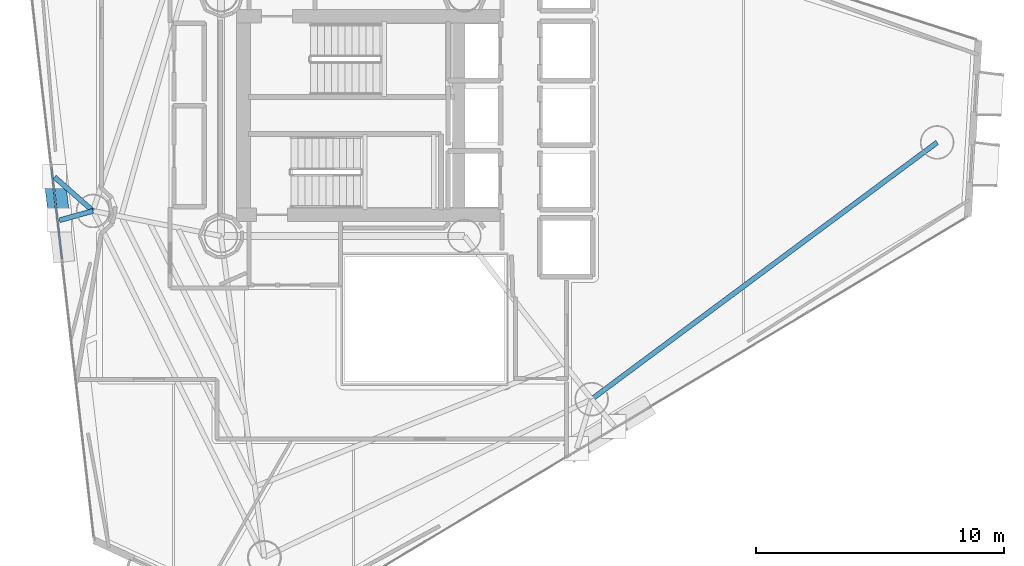
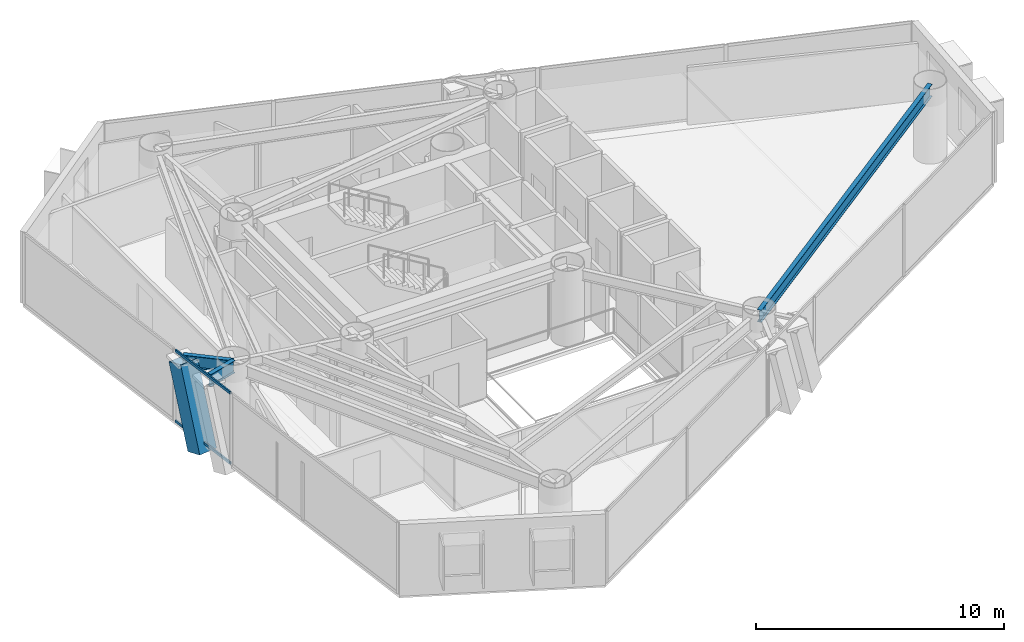
# One storey, part 8 of 22: 3 beams, 3 members, 1 element without a shape of its own.
"""IFC4 building model written with IfcOpenShell, lengths in metres."""

from ifc_helpers import new_model, si_unit, direction, frame, origin, origin_2d, place, context, subcontext, project, spatial, hollow_rectangle, i_section, extrude, material, layer, layer_set, material_profile, profile_set, type_object, element, aggregate, save


model = new_model("IFC4")

# Units and contexts
model_context = context("Model", 3, precision=1e-05, world=origin(), true_north=direction((0.0, 1.0)))
body_context = subcontext(model_context, "Body", "Model", "MODEL_VIEW")
ifc_project = project(units=[si_unit("LENGTHUNIT", "METRE"), si_unit("AREAUNIT", "SQUARE_METRE"), si_unit("VOLUMEUNIT", "CUBIC_METRE"), si_unit("PLANEANGLEUNIT", "RADIAN"), si_unit("MASSUNIT", "GRAM", prefix="KILO")], contexts=[model_context])

# Site, building, storey
site_placement = place(None, origin())
site = spatial("IfcSite", under=ifc_project, at=site_placement, CompositionType="ELEMENT")
building_placement = place(site_placement, origin())
building = spatial("IfcBuilding", under=site, at=building_placement, Name="Qianvela Tower", CompositionType="ELEMENT")
storey_placement = place(building_placement, frame((0.0, 0.0, 173.5)))
storey = spatial("IfcBuildingStorey", under=building, at=storey_placement, Name="L44", CompositionType="ELEMENT", Elevation=173.5)

# Beams
ifc_material_1 = material(Name="Steel Q355B", Category="steel")
ifc_material_profile_1 = material_profile(ifc_material_1, i_section(OverallWidth=0.199951171875, OverallDepth=0.60009765625, WebThickness=0.010986328125, FlangeThickness=0.01708984375, at=origin_2d()), Name="HN600x200x11x17")
ifc_profile_set_1 = profile_set([ifc_material_profile_1], Name="Steel Q355B")
beam_type = type_object("IfcBeamType", Name="BM-HN600-GIRD", PredefinedType="BEAM", material=ifc_profile_set_1)
beam_1_placement = place(storey_placement, frame((23.446044921875, 24.85888671875, 3.218017578125), z_axis=(-0.750500018604, 0.6608704276, 0.0), x_axis=(-0.6608704276, -0.750500018604, 0.0)))
element("IfcBeam", 1, at=beam_1_placement, inside=storey, type_object=beam_type, Name="L44 Mega-Brace Column Tie Bracket F2-1", PredefinedType="BEAM", context=body_context, shape_type="SweptSolid", body=[
    extrude(i_section(OverallWidth=0.199951171875, OverallDepth=0.60009765625, WebThickness=0.010986328125, FlangeThickness=0.01708984375, at=origin_2d()), origin(), (0.0, 0.0, 1.0), 2.064697265625),
])
beam_2_placement = place(storey_placement, frame((23.446044921875, 24.85888671875, 3.218017578125), z_axis=(-0.963215186709, -0.268731286033, 0.0), x_axis=(0.268731286033, -0.963215186709, 0.0)))
element("IfcBeam", 2, at=beam_2_placement, inside=storey, type_object=beam_type, Name="L44 Mega-Brace Column Tie Bracket F2-2", PredefinedType="BEAM", context=body_context, shape_type="SweptSolid", body=[
    extrude(i_section(OverallWidth=0.199951171875, OverallDepth=0.60009765625, WebThickness=0.010986328125, FlangeThickness=0.01708984375, at=origin_2d()), origin(), (0.0, 0.0, 1.0), 1.40087890625),
])
beam_3_placement = place(storey_placement, frame((43.52490234375, 17.279052734375, 3.218017578125), z_axis=(0.802568869864, 0.596559476603, 0.0), x_axis=(-0.596559476603, 0.802568869864, 0.0)))
element("IfcBeam", 3, at=beam_3_placement, inside=storey, type_object=beam_type, Name="L44 Perimeter Ring Spandrel Girder 6", PredefinedType="BEAM", context=body_context, shape_type="SweptSolid", body=[
    extrude(i_section(OverallWidth=0.199951171875, OverallDepth=0.60009765625, WebThickness=0.010986328125, FlangeThickness=0.01708984375, at=origin_2d()), origin(), (0.0, 0.0, 1.0), 17.330810546875),
])

# Curtain wall, members
ifc_material_2 = material(Name="Anodised Architectural Aluminium and Insulated Spandrel Panel", Category="aluminium")
ifc_layer = layer(ifc_material_2, 0.179931640625)
ifc_layer_set = layer_set([ifc_layer], Name="Anodised Architectural Aluminium and Insulated Spandrel Panel")
curtain_wall_type = type_object("IfcCurtainWallType", Name="CW-BRACEBAY", PredefinedType="USERDEFINED", material=ifc_layer_set)
curtain_wall_placement = place(storey_placement, origin())
curtain_wall = element("IfcCurtainWall", 4, at=curtain_wall_placement, inside=storey, type_object=curtain_wall_type, Name="L44 CW-BRACEBAY Curtain Wall 04B", ObjectType="CURTAIN_WALL_SYSTEM", PredefinedType="USERDEFINED")
ifc_material_3 = material(Name="Anodised Architectural Aluminium 6063-T6", Category="aluminium")
ifc_material_profile_2 = material_profile(ifc_material_3, hollow_rectangle(XDim=0.06494140625, YDim=0.1298828125, WallThickness=0.00439453125, at=origin_2d()), Name="ALU-TRAN-65x130")
ifc_profile_set_2 = profile_set([ifc_material_profile_2], Name="Anodised Architectural Aluminium 6063-T6")
member_type_1 = type_object("IfcMemberType", Name="CW-BRACEBAY-TRAN", PredefinedType="USERDEFINED", material=ifc_profile_set_2)
member_1_placement = place(storey_placement, frame((21.771728515625, 26.60791015625, 0.032470703125), z_axis=(0.114244424913, -0.993452671936, 0.0), x_axis=(0.993452671936, 0.114244424913, 0.0)))
member_1 = element("IfcMember", 5, at=member_1_placement, type_object=member_type_1, Name="CW-9 transom 1.1", ObjectType="TRANSOM", PredefinedType="USERDEFINED", context=body_context, shape_type="SweptSolid", body=[
    extrude(hollow_rectangle(XDim=0.06494140625, YDim=0.1298828125, WallThickness=0.00439453125, at=origin_2d()), origin(), (0.0, 0.0, 1.0), 3.709716796875),
])
member_2_placement = place(storey_placement, frame((21.771728515625, 26.60791015625, 3.487548828125), z_axis=(0.114244424913, -0.993452671936, 0.0), x_axis=(0.993452671936, 0.114244424913, 0.0)))
member_2 = element("IfcMember", 6, at=member_2_placement, type_object=member_type_1, Name="CW-9 transom 1.2", ObjectType="TRANSOM", PredefinedType="USERDEFINED", context=body_context, shape_type="SweptSolid", body=[
    extrude(hollow_rectangle(XDim=0.06494140625, YDim=0.1298828125, WallThickness=0.00439453125, at=origin_2d()), origin(), (0.0, 0.0, 1.0), 3.709716796875),
])
aggregate(curtain_wall, [member_1, member_2])

# Member
ifc_material_4 = material(Name="Steel Q420GJC", Category="steel")
ifc_material_profile_3 = material_profile(ifc_material_4, hollow_rectangle(XDim=0.85009765625, YDim=0.85009765625, WallThickness=0.031982421875, at=origin_2d()), Name="MBOX-850x850x32")
ifc_profile_set_3 = profile_set([ifc_material_profile_3], Name="Steel Q420GJC")
member_type_2 = type_object("IfcMemberType", Name="MBR-MBRACE-850", PredefinedType="BRACE", material=ifc_profile_set_3)
member_3_placement = place(storey_placement, frame((22.043701171875, 24.943359375, -0.48193359375), z_axis=(-0.037575623452, 0.326714749187, 0.944375743645), x_axis=(-0.993451190289, -0.114257308362, 0.0)))
element("IfcMember", 7, at=member_3_placement, inside=storey, type_object=member_type_2, Name="L44 Tier 7 Exterior Mega-Brace F2A", PredefinedType="BRACE", context=body_context, shape_type="SweptSolid", body=[
    extrude(hollow_rectangle(XDim=0.85009765625, YDim=0.85009765625, WallThickness=0.031982421875, at=origin_2d()), origin(), (0.0, 0.0, 1.0), 3.91796875),
])

save(model, "model.ifc")
